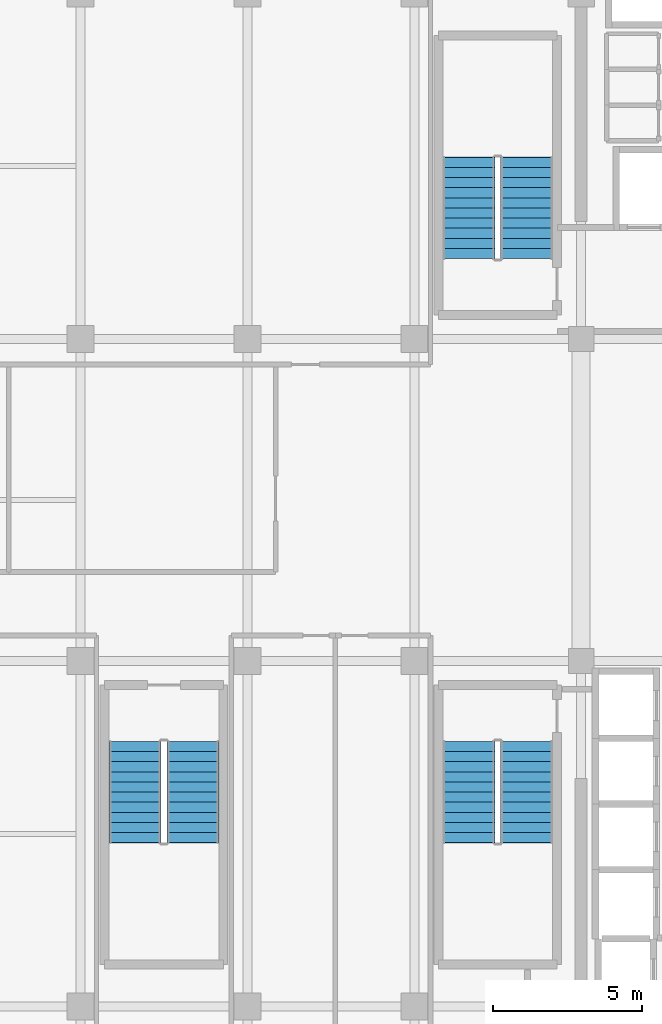
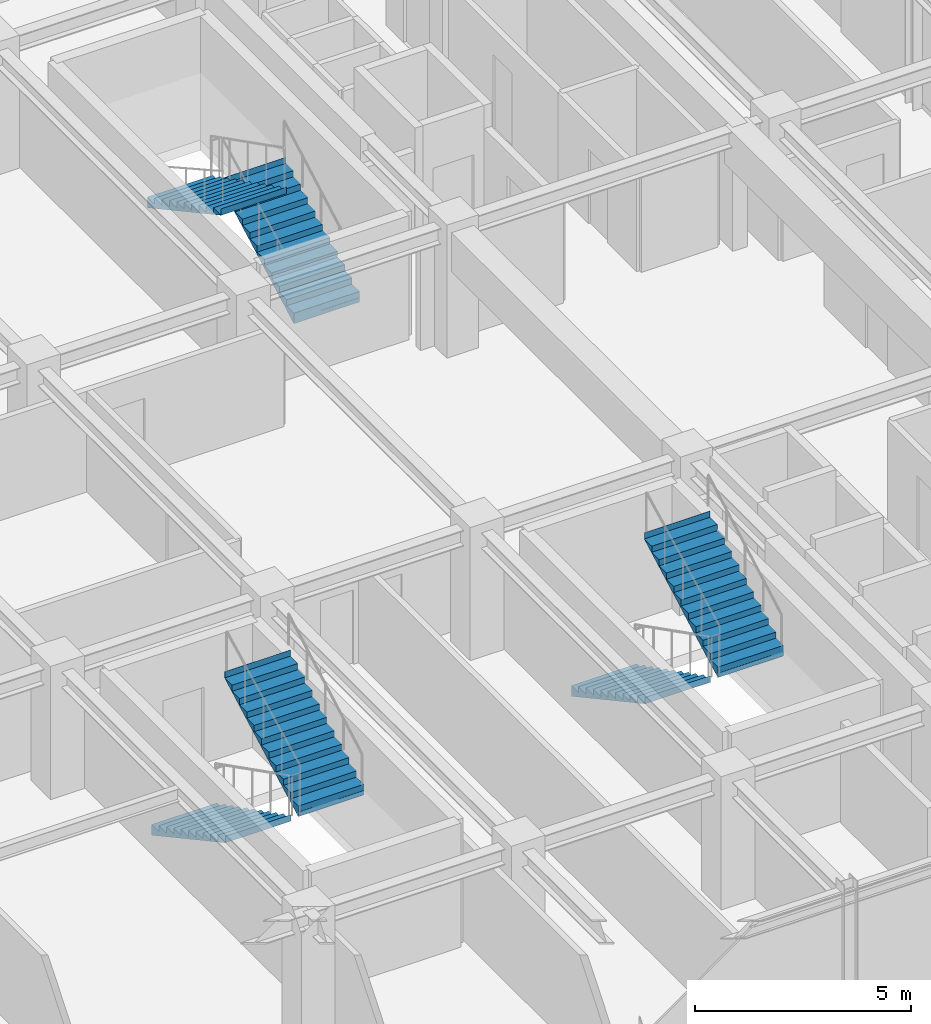
# One storey, part 30 of 33: 6 stair flights, 3 elements without a shape of their own.
"""IFC4 building model written with IfcOpenShell, lengths in metres."""

from ifc_helpers import new_model, si_unit, direction, frame, origin, place, context, subcontext, project, spatial, polyline, outline, extrude, source, transform, mapped, material, layer, layer_set, type_object, element, aggregate, save


model = new_model("IFC4")

# Units and contexts
model_context = context("Model", 3, precision=1e-05, world=origin(), true_north=direction((0.0, 1.0)))
body_context = subcontext(model_context, "Body", "Model", "MODEL_VIEW")
ifc_project = project(units=[si_unit("LENGTHUNIT", "METRE"), si_unit("AREAUNIT", "SQUARE_METRE"), si_unit("VOLUMEUNIT", "CUBIC_METRE"), si_unit("PLANEANGLEUNIT", "RADIAN"), si_unit("MASSUNIT", "GRAM", prefix="KILO")], contexts=[model_context])

# Site, building, storey
site_placement = place(None, origin())
site = spatial("IfcSite", under=ifc_project, at=site_placement, CompositionType="ELEMENT")
building_placement = place(site_placement, origin())
building = spatial("IfcBuilding", under=site, at=building_placement, Name="Nahalor Promenade Grand Hotel", CompositionType="ELEMENT")
storey_placement = place(building_placement, frame((0.0, 0.0, 315.75)))
storey = spatial("IfcBuildingStorey", under=building, at=storey_placement, Name="L81", CompositionType="ELEMENT", Elevation=315.75)

# Stair, stair flights
ifc_material = material(Name="Concrete B-50 (C40/50)", Category="concrete")
stair_type_1 = type_object("IfcStairType", Name="Stair-ST1", PredefinedType="HALF_TURN_STAIR", material=ifc_material)
stair_1_placement = place(storey_placement, origin())
stair_1 = element("IfcStair", 1, at=stair_1_placement, inside=storey, type_object=stair_type_1, Name="L81 ST1", PredefinedType="HALF_TURN_STAIR")
ifc_layer_1 = layer(ifc_material, 0.179931640625)
ifc_layer_set_1 = layer_set([ifc_layer_1], Name="Concrete B-50 (C40/50)")
stair_flight_type_1 = type_object("IfcStairFlightType", Name="Flight-ST1", PredefinedType="STRAIGHT", material=ifc_layer_set_1)
shared_shape_1 = source(origin(), body_context, "Body", "SweptSolid", [
    extrude(outline(polyline([(-0.00390625, -0.1201171875), (-0.00390625, 0.0), (0.0, 0.0), (0.0, 0.172607421875), (0.340087890625, 0.172607421875), (0.340087890625, 0.345458984375), (0.679931640625, 0.345458984375), (0.679931640625, 0.51806640625), (1.02001953125, 0.51806640625), (1.02001953125, 0.69091796875), (1.360107421875, 0.69091796875), (1.360107421875, 0.863525390625), (1.699951171875, 0.863525390625), (1.699951171875, 1.036376953125), (2.0400390625, 1.036376953125), (2.0400390625, 1.208984375), (2.3798828125, 1.208984375), (2.3798828125, 1.3818359375), (2.719970703125, 1.3818359375), (2.719970703125, 1.554443359375), (3.06005859375, 1.554443359375), (3.06005859375, 1.727294921875), (3.39990234375, 1.727294921875), (3.39990234375, 1.89990234375), (3.404052734375, 1.89990234375), (3.404052734375, 1.719970703125), (0.02001953125, -0.1201171875), (-0.00390625, -0.1201171875)])), frame((0.0, 0.875, 0.0), z_axis=(0.0, -1.0, 0.0), x_axis=(1.0, 0.0, 0.0)), (0.0, 0.0, 1.0), 1.75),
])
stair_flight_1_placement = place(storey_placement, frame((6.574951171875, 8.10009765625, 0.0), z_axis=(0.0, 0.0, 1.0), x_axis=(0.0, 1.0, 0.0)))
stair_flight_1 = element("IfcStairFlight", 2, at=stair_flight_1_placement, type_object=stair_flight_type_1, Name="ST1 flight 1", NumberOfRisers=11, NumberOfTreads=10, PredefinedType="STRAIGHT", RiserHeight=0.172727273, TreadLength=0.34, context=body_context, shape_type="MappedRepresentation", body=[
    mapped(shared_shape_1, transform((0.0, 0.0, 0.0), scale=1.0)),
])
stair_flight_2_placement = place(storey_placement, frame((4.625, 11.5, 1.89990234375), z_axis=(0.0, 0.0, 1.0), x_axis=(0.0, -1.0, 0.0)))
stair_flight_2 = element("IfcStairFlight", 3, at=stair_flight_2_placement, type_object=stair_flight_type_1, Name="ST1 flight 2", NumberOfRisers=11, NumberOfTreads=10, PredefinedType="STRAIGHT", RiserHeight=0.172727273, TreadLength=0.34, context=body_context, shape_type="MappedRepresentation", body=[
    mapped(shared_shape_1, transform((0.0, 0.0, 0.0), scale=1.0)),
])
aggregate(stair_1, [stair_flight_1, stair_flight_2])

stair_type_2 = type_object("IfcStairType", Name="Stair-ST2", PredefinedType="HALF_TURN_STAIR", material=ifc_material)
stair_2_placement = place(storey_placement, origin())
stair_2 = element("IfcStair", 4, at=stair_2_placement, inside=storey, type_object=stair_type_2, Name="L81 ST2", PredefinedType="HALF_TURN_STAIR")
ifc_layer_2 = layer(ifc_material, 0.18994140625)
ifc_layer_set_2 = layer_set([ifc_layer_2], Name="Concrete B-50 (C40/50)")
stair_flight_type_2 = type_object("IfcStairFlightType", Name="Flight-ST2", PredefinedType="STRAIGHT", material=ifc_layer_set_2)
shared_shape_2 = source(origin(), body_context, "Body", "SweptSolid", [
    extrude(outline(polyline([(-0.00390625, -0.1201171875), (-0.00390625, 0.0), (0.0, 0.0), (0.0, 0.172607421875), (0.340087890625, 0.172607421875), (0.340087890625, 0.345458984375), (0.679931640625, 0.345458984375), (0.679931640625, 0.51806640625), (1.02001953125, 0.51806640625), (1.02001953125, 0.69091796875), (1.360107421875, 0.69091796875), (1.360107421875, 0.863525390625), (1.699951171875, 0.863525390625), (1.699951171875, 1.036376953125), (2.0400390625, 1.036376953125), (2.0400390625, 1.208984375), (2.3798828125, 1.208984375), (2.3798828125, 1.3818359375), (2.719970703125, 1.3818359375), (2.719970703125, 1.554443359375), (3.06005859375, 1.554443359375), (3.06005859375, 1.727294921875), (3.39990234375, 1.727294921875), (3.39990234375, 1.89990234375), (3.404052734375, 1.89990234375), (3.404052734375, 1.719970703125), (0.02001953125, -0.1201171875), (-0.00390625, -0.1201171875)])), frame((0.0, 0.875, 0.0), z_axis=(0.0, -1.0, 0.0), x_axis=(1.0, 0.0, 0.0)), (0.0, 0.0, 1.0), 1.75),
])
stair_flight_3_placement = place(storey_placement, frame((4.625, -8.10009765625, 0.0), z_axis=(0.0, 0.0, 1.0), x_axis=(0.0, -1.0, 0.0)))
stair_flight_3 = element("IfcStairFlight", 5, at=stair_flight_3_placement, type_object=stair_flight_type_2, Name="ST2 flight 1", NumberOfRisers=11, NumberOfTreads=10, PredefinedType="STRAIGHT", RiserHeight=0.172727273, TreadLength=0.34, context=body_context, shape_type="MappedRepresentation", body=[
    mapped(shared_shape_2, transform((0.0, 0.0, 0.0), scale=1.0)),
])
stair_flight_4_placement = place(storey_placement, frame((6.574951171875, -11.5, 1.89990234375), z_axis=(0.0, 0.0, 1.0), x_axis=(0.0, 1.0, 0.0)))
stair_flight_4 = element("IfcStairFlight", 6, at=stair_flight_4_placement, type_object=stair_flight_type_2, Name="ST2 flight 2", NumberOfRisers=11, NumberOfTreads=10, PredefinedType="STRAIGHT", RiserHeight=0.172727273, TreadLength=0.34, context=body_context, shape_type="MappedRepresentation", body=[
    mapped(shared_shape_2, transform((0.0, 0.0, 0.0), scale=1.0)),
])
aggregate(stair_2, [stair_flight_3, stair_flight_4])

stair_type_3 = type_object("IfcStairType", Name="Stair-ST3", PredefinedType="HALF_TURN_STAIR", material=ifc_material)
stair_3_placement = place(storey_placement, origin())
stair_3 = element("IfcStair", 7, at=stair_3_placement, inside=storey, type_object=stair_type_3, Name="L81 ST3", PredefinedType="HALF_TURN_STAIR")
ifc_layer_3 = layer(ifc_material, 0.199951171875)
ifc_layer_set_3 = layer_set([ifc_layer_3], Name="Concrete B-50 (C40/50)")
stair_flight_type_3 = type_object("IfcStairFlightType", Name="Flight-ST3", PredefinedType="STRAIGHT", material=ifc_layer_set_3)
shared_shape_3 = source(origin(), body_context, "Body", "SweptSolid", [
    extrude(outline(polyline([(-0.00390625, -0.1201171875), (-0.00390625, 0.0), (0.0, 0.0), (0.0, 0.172607421875), (0.340087890625, 0.172607421875), (0.340087890625, 0.345458984375), (0.679931640625, 0.345458984375), (0.679931640625, 0.51806640625), (1.02001953125, 0.51806640625), (1.02001953125, 0.69091796875), (1.360107421875, 0.69091796875), (1.360107421875, 0.863525390625), (1.699951171875, 0.863525390625), (1.699951171875, 1.036376953125), (2.0400390625, 1.036376953125), (2.0400390625, 1.208984375), (2.3798828125, 1.208984375), (2.3798828125, 1.3818359375), (2.719970703125, 1.3818359375), (2.719970703125, 1.554443359375), (3.06005859375, 1.554443359375), (3.06005859375, 1.727294921875), (3.39990234375, 1.727294921875), (3.39990234375, 1.89990234375), (3.404052734375, 1.89990234375), (3.404052734375, 1.719970703125), (0.02001953125, -0.1201171875), (-0.00390625, -0.1201171875)])), frame((0.0, 0.875, 0.0), z_axis=(0.0, -1.0, 0.0), x_axis=(1.0, 0.0, 0.0)), (0.0, 0.0, 1.0), 1.75),
])
stair_flight_5_placement = place(storey_placement, frame((-6.574951171875, -8.10009765625, 0.0), z_axis=(0.0, 0.0, 1.0), x_axis=(0.0, -1.0, 0.0)))
stair_flight_5 = element("IfcStairFlight", 8, at=stair_flight_5_placement, type_object=stair_flight_type_3, Name="ST3 flight 1", NumberOfRisers=11, NumberOfTreads=10, PredefinedType="STRAIGHT", RiserHeight=0.172727273, TreadLength=0.34, context=body_context, shape_type="MappedRepresentation", body=[
    mapped(shared_shape_3, transform((0.0, 0.0, 0.0), scale=1.0)),
])
stair_flight_6_placement = place(storey_placement, frame((-4.625, -11.5, 1.89990234375), z_axis=(0.0, 0.0, 1.0), x_axis=(0.0, 1.0, 0.0)))
stair_flight_6 = element("IfcStairFlight", 9, at=stair_flight_6_placement, type_object=stair_flight_type_3, Name="ST3 flight 2", NumberOfRisers=11, NumberOfTreads=10, PredefinedType="STRAIGHT", RiserHeight=0.172727273, TreadLength=0.34, context=body_context, shape_type="MappedRepresentation", body=[
    mapped(shared_shape_3, transform((0.0, 0.0, 0.0), scale=1.0)),
])
aggregate(stair_3, [stair_flight_5, stair_flight_6])

save(model, "model.ifc")
